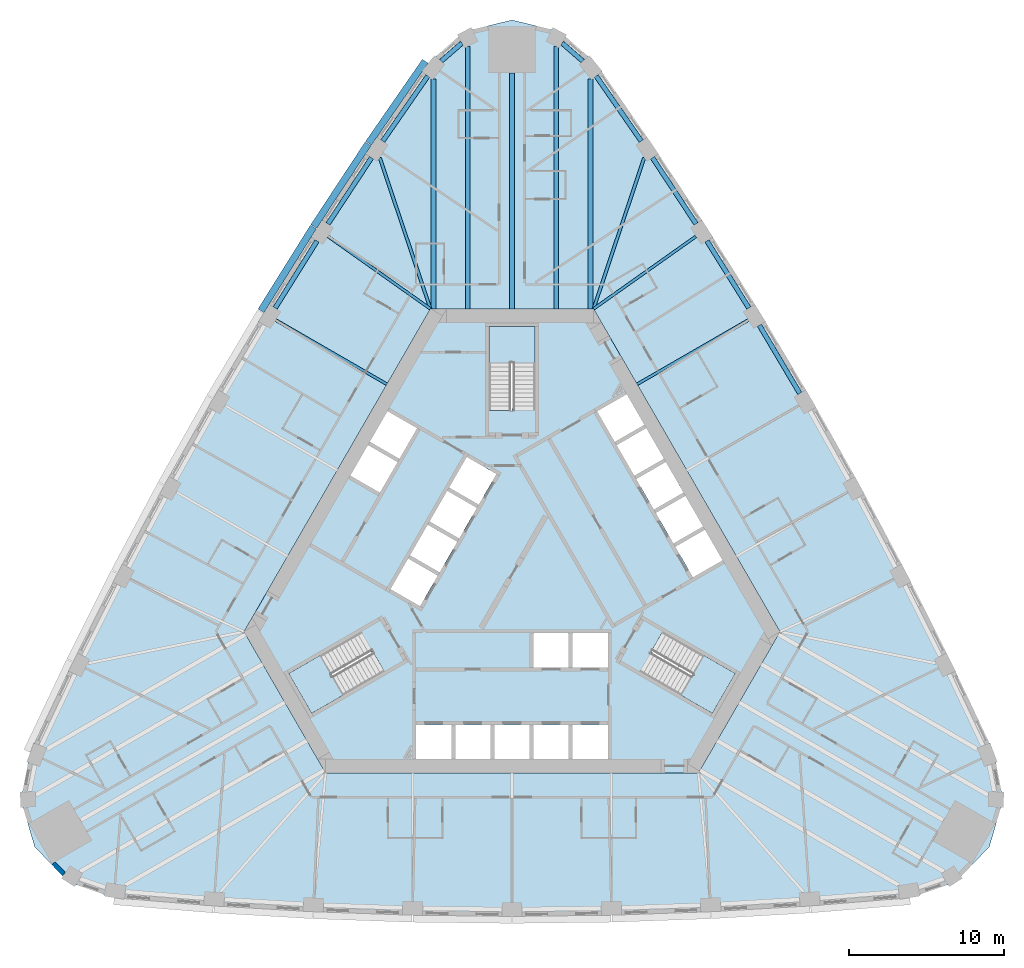
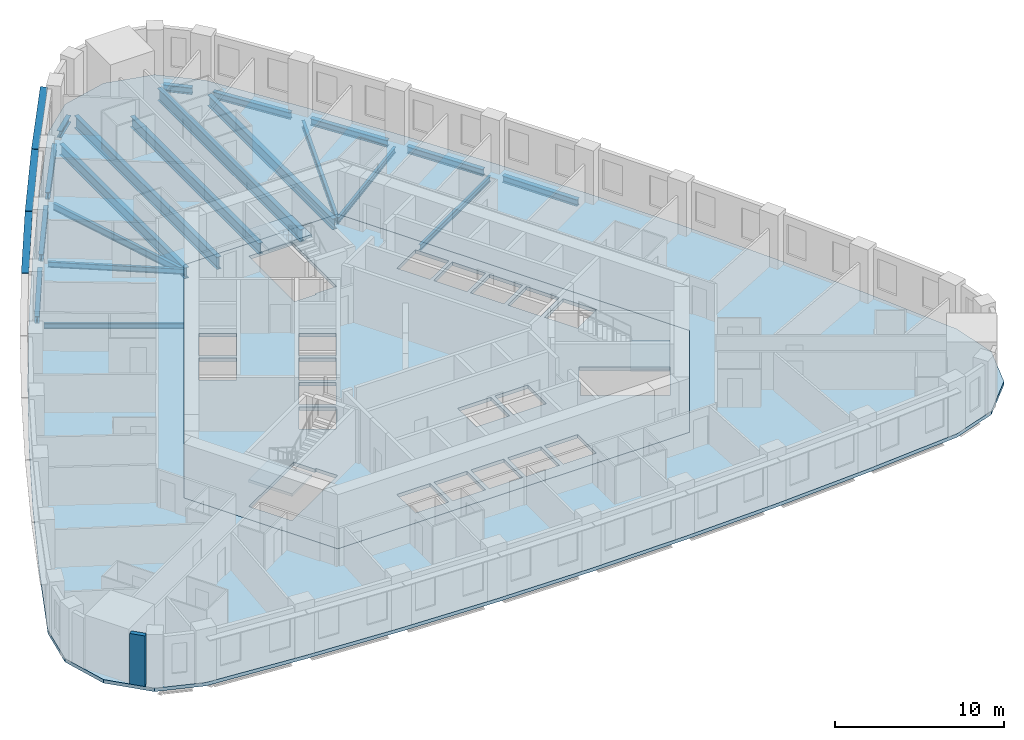
# One storey, part 2 of 12: 20 beams, 5 slabs, 3 members, 1 wall, 3 elements without a shape of their own.
"""IFC4 building model written with IfcOpenShell, lengths in metres."""

import ifcopenshell
import ifcopenshell.guid

model = None  # the IFC model being written
_history = None  # IfcOwnerHistory: only IFC2X3 demands one
_inside = {}  # id of a spatial element -> (the spatial element, [elements in it])
_under = {}  # id of a project, library or spatial element -> (it, [spatial elements below it])
_declared = {}  # id of a project -> (the project, [libraries it declares])
_typed = {}  # id of a type object -> (the type object, [elements of that type])
_made_of = {}  # id of a material, layer set ... -> (it, [elements and type objects made of it])


def new_model(schema):
    """Start an empty IFC model of exactly this schema.

    Asked for "IFC4X3", IfcOpenShell would pick the latest addendum, in which some entities
    have other attributes; the version numbers below select the first issue.
    IFC2X3 requires an IfcOwnerHistory on every rooted entity: one is made here for all.
    """
    global model, _history
    if schema == "IFC4X3":
        model = ifcopenshell.file(schema_version=(4, 3, 0, 0))
    else:
        model = ifcopenshell.file(schema=schema)
    _inside.clear()
    _under.clear()
    _declared.clear()
    _typed.clear()
    _made_of.clear()
    _history = None
    if model.schema == "IFC2X3":
        org = make("IfcOrganization", Name="unknown")
        user = make(
            "IfcPersonAndOrganization",
            ThePerson=make("IfcPerson", FamilyName="unknown"),
            TheOrganization=org,
        )
        app = make(
            "IfcApplication",
            ApplicationDeveloper=org,
            Version="unknown",
            ApplicationFullName="unknown",
            ApplicationIdentifier="unknown",
        )
        _history = make(
            "IfcOwnerHistory",
            OwningUser=user,
            OwningApplication=app,
            ChangeAction="ADDED",
            CreationDate=0,
        )
    return model


def make(cls, **values):
    """One entity of the class cls with the attributes given. An attribute that is None is left unset."""
    return model.create_entity(
        cls, **{name: value for name, value in values.items() if value is not None}
    )


def rooted(cls, **values):
    """An entity with a GlobalId (a new one), such as an element, a storey or a relation."""
    return make(cls, GlobalId=ifcopenshell.guid.new(), OwnerHistory=_history, **values)


def si_unit(unit_type, name, prefix=None):
    """IfcSIUnit, for example si_unit("LENGTHUNIT", "METRE", prefix="MILLI")."""
    return make("IfcSIUnit", UnitType=unit_type, Prefix=prefix, Name=name)


def assignment(units):
    """IfcUnitAssignment: the units of a project."""
    return None if units is None else make("IfcUnitAssignment", Units=units)


def point(xyz):
    """IfcCartesianPoint."""
    return None if xyz is None else make("IfcCartesianPoint", Coordinates=xyz)


def direction(xyz):
    """IfcDirection."""
    return None if xyz is None else make("IfcDirection", DirectionRatios=xyz)


def frame(location, z_axis=None, x_axis=None):
    """IfcAxis2Placement3D, a coordinate frame: its origin and axes. An axis left out is left unset."""
    return make(
        "IfcAxis2Placement3D",
        Location=point(location),
        Axis=direction(z_axis),
        RefDirection=direction(x_axis),
    )


def frame_2d(location, x_axis=None):
    """IfcAxis2Placement2D, a coordinate frame in the plane: its origin and x axis."""
    return make(
        "IfcAxis2Placement2D", Location=point(location), RefDirection=direction(x_axis)
    )


def origin():
    """The frame at (0, 0, 0) with its axes left unset."""
    return frame((0.0, 0.0, 0.0))


def origin_2d():
    """The frame at (0, 0) in the plane with its x axis left unset."""
    return frame_2d((0.0, 0.0))


def place(relative_to, where):
    """IfcLocalPlacement: puts the frame where relative to a parent placement (None: the world)."""
    return make(
        "IfcLocalPlacement", PlacementRelTo=relative_to, RelativePlacement=where
    )


def context(
    kind, dimensions, precision=None, world=None, true_north=None, identifier=None
):
    """IfcGeometricRepresentationContext, for example the 3D "Model" context."""
    return make(
        "IfcGeometricRepresentationContext",
        ContextIdentifier=identifier,
        ContextType=kind,
        CoordinateSpaceDimension=dimensions,
        Precision=precision,
        WorldCoordinateSystem=world,
        TrueNorth=true_north,
    )


def subcontext(parent, identifier, kind, view, scale=None):
    """IfcGeometricRepresentationSubContext, for example "Body" below "Model"."""
    return make(
        "IfcGeometricRepresentationSubContext",
        ContextIdentifier=identifier,
        ContextType=kind,
        ParentContext=parent,
        TargetScale=scale,
        TargetView=view,
    )


def project(units=None, contexts=None):
    """IfcProject with its units and contexts."""
    return rooted(
        "IfcProject",
        Name="project",
        RepresentationContexts=contexts,
        UnitsInContext=assignment(units),
    )


def spatial(cls, under=None, at=None, **own):
    """A site, building, storey or space (cls), placed at a placement, below another one or the project."""
    s = rooted(cls, ObjectPlacement=at, **own)
    if under is not None:
        _under.setdefault(under.id(), (under, []))[1].append(s)
    return s


def polyline(points):
    """IfcPolyline through the points."""
    return make("IfcPolyline", Points=[point(p) for p in points])


def profile(cls, at=None, kind="AREA", **sizes):
    """A parametric profile (cls). Its sizes go by their IFC names, for example OverallWidth=200.0."""
    return make(cls, ProfileType=kind, Position=at, **sizes)


def rectangle(**sizes):
    """IfcRectangleProfileDef."""
    return profile("IfcRectangleProfileDef", **sizes)


def i_section(**sizes):
    """IfcIShapeProfileDef."""
    return profile("IfcIShapeProfileDef", **sizes)


def outline(outer, holes=None, kind="AREA"):
    """IfcArbitraryClosedProfileDef: a profile drawn as a closed curve; with holes, ...WithVoids."""
    if holes is None:
        return make("IfcArbitraryClosedProfileDef", ProfileType=kind, OuterCurve=outer)
    return make(
        "IfcArbitraryProfileDefWithVoids",
        ProfileType=kind,
        OuterCurve=outer,
        InnerCurves=holes,
    )


def extrude(swept, where, along, depth):
    """IfcExtrudedAreaSolid: the profile swept, set in the frame where, extruded along a direction by depth."""
    return make(
        "IfcExtrudedAreaSolid",
        SweptArea=swept,
        Position=where,
        ExtrudedDirection=direction(along),
        Depth=depth,
    )


def shape(context_of_items, identifier, shape_type, items):
    """IfcShapeRepresentation: the items that make up one representation, for example the "Body"."""
    return make(
        "IfcShapeRepresentation",
        ContextOfItems=context_of_items,
        RepresentationIdentifier=identifier,
        RepresentationType=shape_type,
        Items=items,
    )


def material(Name=None, Category=None):
    """IfcMaterial."""
    return make("IfcMaterial", Name=Name, Category=Category)


def layer(
    of_material, thickness, ventilated=None, Name=None, Category=None, Priority=None
):
    """IfcMaterialLayer: one layer of a wall or slab, of a material (None: an air gap)."""
    return make(
        "IfcMaterialLayer",
        Material=of_material,
        LayerThickness=thickness,
        IsVentilated=ventilated,
        Name=Name,
        Category=Category,
        Priority=Priority,
    )


def layer_set(layers, Name=None):
    """IfcMaterialLayerSet."""
    return make("IfcMaterialLayerSet", MaterialLayers=layers, LayerSetName=Name)


def material_profile(
    of_material, cross_section, Name=None, Category=None, Priority=None
):
    """IfcMaterialProfile: a cross section and its material."""
    return make(
        "IfcMaterialProfile",
        Name=Name,
        Material=of_material,
        Profile=cross_section,
        Priority=Priority,
        Category=Category,
    )


def profile_set(profiles, Name=None, composite=None):
    """IfcMaterialProfileSet."""
    return make(
        "IfcMaterialProfileSet",
        Name=Name,
        MaterialProfiles=profiles,
        CompositeProfile=composite,
    )


def made_of(thing, what):
    """Note that an element or type object is made of a material, layer set ...; save() writes the relation."""
    if what is not None:
        _made_of.setdefault(what.id(), (what, []))[1].append(thing)
    return thing


def type_object(cls, material=None, **own):
    """A type object (cls), such as IfcWallType, which elements share."""
    return made_of(rooted(cls, **own), material)


def element(
    cls,
    number,
    at=None,
    inside=None,
    cuts=None,
    type_object=None,
    material=None,
    context=None,
    identifier="Body",
    shape_type=None,
    held_by="IfcProductDefinitionShape",
    body=None,
    shapes=None,
    **own,
):
    """One element of the class cls, such as IfcWall. Its Tag is "e" and its number.

    at: its placement. inside: the storey or other place that contains it. cuts: it is an
    opening in that element (IfcRelVoidsElement). A single representation is given by context,
    identifier, shape_type and body (its items); several are given by shapes. held_by: the class
    of the entity that holds the representations. save() writes the other relations.
    """
    e = rooted(cls, Tag="e%d" % number, ObjectPlacement=at, **own)
    if body is not None:
        shapes = [shape(context, identifier, shape_type, body)]
    if shapes is not None:
        e.Representation = make(held_by, Representations=shapes)
    if inside is not None:
        _inside.setdefault(inside.id(), (inside, []))[1].append(e)
    if cuts is not None:
        rooted(
            "IfcRelVoidsElement", RelatingBuildingElement=cuts, RelatedOpeningElement=e
        )
    if type_object is not None:
        _typed.setdefault(type_object.id(), (type_object, []))[1].append(e)
    return made_of(e, material)


def aggregate(whole, parts):
    """IfcRelAggregates: a whole, such as a stair, and the parts it consists of."""
    return rooted("IfcRelAggregates", RelatingObject=whole, RelatedObjects=parts)


def save(model, path):
    """Write the relations noted so far, then the file.

    IfcRelAggregates (storeys below a building ...), IfcRelContainedInSpatialStructure (elements
    in a storey), IfcRelDefinesByType, IfcRelAssociatesMaterial and IfcRelDeclares: one each for
    every whole, place, type object, material and project.
    """
    for whole, parts in _under.values():
        aggregate(whole, parts)
    for where, things in _inside.values():
        rooted(
            "IfcRelContainedInSpatialStructure",
            RelatedElements=things,
            RelatingStructure=where,
        )
    for kind, things in _typed.values():
        rooted("IfcRelDefinesByType", RelatedObjects=things, RelatingType=kind)
    for what, things in _made_of.values():
        rooted("IfcRelAssociatesMaterial", RelatedObjects=things, RelatingMaterial=what)
    for by, libraries in _declared.values():
        rooted("IfcRelDeclares", RelatingContext=by, RelatedDefinitions=libraries)
    model.write(path)


model = new_model("IFC4")

# Units and contexts
model_context = context("Model", 3, precision=1e-05, world=origin(), true_north=direction((0.0, 1.0)))
body_context = subcontext(model_context, "Body", "Model", "MODEL_VIEW")
ifc_project = project(units=[si_unit("LENGTHUNIT", "METRE"), si_unit("AREAUNIT", "SQUARE_METRE"), si_unit("VOLUMEUNIT", "CUBIC_METRE"), si_unit("PLANEANGLEUNIT", "RADIAN"), si_unit("MASSUNIT", "GRAM", prefix="KILO")], contexts=[model_context])

# Site, building, storey
site_placement = place(None, origin())
site = spatial("IfcSite", under=ifc_project, at=site_placement, CompositionType="ELEMENT")
building_placement = place(site_placement, origin())
building = spatial("IfcBuilding", under=site, at=building_placement, Name="Mestral Congress Tower", CompositionType="ELEMENT")
storey_placement = place(building_placement, frame((0.0, 0.0, 103.199951171875)))
storey = spatial("IfcBuildingStorey", under=building, at=storey_placement, Name="L24", CompositionType="ELEMENT", Elevation=103.199951171875)

# Members
ifc_material_1 = material(Name="Glazed ceramic", Category="masonry")
ifc_material_profile_1 = material_profile(ifc_material_1, rectangle(XDim=0.449951171875, YDim=0.06005859375, at=origin_2d()), Name="Ceramic blade 450 x 60")
ifc_profile_set_1 = profile_set([ifc_material_profile_1], Name="Glazed ceramic")
member_type = type_object("IfcMemberType", Name="Facade sunshade blade 450 x 60", PredefinedType="USERDEFINED", material=ifc_profile_set_1)
member_placement = place(storey_placement, frame((-5.590576171875, 32.8505859375, 3.280029296875), z_axis=(-0.569144736399, -0.822237355652, 0.0), x_axis=(0.822237355652, -0.569144736399, 0.0)))
element("IfcMember", 1, at=member_placement, inside=storey, type_object=member_type, Name="Sunshade F2-00", ObjectType="SUNSHADE", PredefinedType="USERDEFINED", context=body_context, shape_type="SweptSolid", body=[
    extrude(rectangle(XDim=0.449951171875, YDim=0.06005859375, at=origin_2d()), origin(), (0.0, 0.0, 1.0), 6.421630859375),
])
for number, where, z_axis, x_axis, name in (
    (2, (-9.2705078125, 27.532958984375, 3.280029296875), (-0.549764307833, -0.835319822483, 0.0), (0.835319822483, -0.549764307833, 0.0), "Sunshade F2-01"),
    (3, (-12.797119140625, 22.173583984375, 3.280029296875), (-0.530060946156, -0.847959547007, 0.0), (0.847959547007, -0.530060946156, 0.0), "Sunshade F2-02"),
):
    element("IfcMember", number, at=place(storey_placement, frame(where, z_axis=z_axis, x_axis=x_axis)), inside=storey, type_object=member_type, Name=name, ObjectType="SUNSHADE", PredefinedType="USERDEFINED", context=body_context, shape_type="SweptSolid", body=[
        extrude(rectangle(XDim=0.449951171875, YDim=0.06005859375, at=origin_2d()), origin(), (0.0, 0.0, 1.0), 6.370361328125),
    ])

# Beams
ifc_material_2 = material(Name="Steel S355", Category="steel")
ifc_material_profile_2 = material_profile(ifc_material_2, i_section(OverallWidth=0.300048828125, OverallDepth=0.800048828125, WebThickness=0.017578125, FlangeThickness=0.032958984375, FilletRadius=0.030029296875, at=origin_2d()), Name="HEB 800")
ifc_profile_set_2 = profile_set([ifc_material_profile_2], Name="Steel S355")
beam_type_1 = type_object("IfcBeamType", Name="Floor beam HEB 800 S355", PredefinedType="BEAM", material=ifc_profile_set_2)
beam_1_placement = place(storey_placement, frame((5.056396484375, 31.72412109375, -0.64990234375), z_axis=(0.0, -1.0, 0.0), x_axis=(1.0, 0.0, 0.0)))
element("IfcBeam", 4, at=beam_1_placement, inside=storey, type_object=beam_type_1, Name="BM-L24-RB2-E08", PredefinedType="BEAM", context=body_context, shape_type="SweptSolid", body=[
    extrude(i_section(OverallWidth=0.300048828125, OverallDepth=0.800048828125, WebThickness=0.017578125, FlangeThickness=0.032958984375, FilletRadius=0.030029296875, at=origin_2d()), origin(), (0.0, 0.0, 1.0), 14.82421875),
])
beam_2_placement = place(storey_placement, frame((0.0, 32.098388671875, -0.64990234375), z_axis=(0.0, -1.0, 0.0), x_axis=(1.0, 0.0, 0.0)))
element("IfcBeam", 5, at=beam_2_placement, inside=storey, type_object=beam_type_1, Name="BM-L24-RB2-N", PredefinedType="BEAM", context=body_context, shape_type="SweptSolid", body=[
    extrude(i_section(OverallWidth=0.300048828125, OverallDepth=0.800048828125, WebThickness=0.017578125, FlangeThickness=0.032958984375, FilletRadius=0.030029296875, at=origin_2d()), origin(), (0.0, 0.0, 1.0), 15.198486328125),
])
beam_3_placement = place(storey_placement, frame((-5.056396484375, 31.72412109375, -0.64990234375), z_axis=(0.0, -1.0, 0.0), x_axis=(1.0, 0.0, 0.0)))
element("IfcBeam", 6, at=beam_3_placement, inside=storey, type_object=beam_type_1, Name="BM-L24-RB2-W00", PredefinedType="BEAM", context=body_context, shape_type="SweptSolid", body=[
    extrude(i_section(OverallWidth=0.300048828125, OverallDepth=0.800048828125, WebThickness=0.017578125, FlangeThickness=0.032958984375, FilletRadius=0.030029296875, at=origin_2d()), origin(), (0.0, 0.0, 1.0), 14.82421875),
])
ifc_material_profile_3 = material_profile(ifc_material_2, i_section(OverallWidth=0.300048828125, OverallDepth=0.89990234375, WebThickness=0.0185546875, FlangeThickness=0.034912109375, FilletRadius=0.030029296875, at=origin_2d()), Name="HEB 900")
ifc_profile_set_3 = profile_set([ifc_material_profile_3], Name="Steel S355")
beam_type_2 = type_object("IfcBeamType", Name="Floor beam HEB 900 S355", PredefinedType="BEAM", material=ifc_profile_set_3)
for number, where, z_axis, x_axis, name in (
    (7, (2.845703125, 33.794189453125, -0.699951171875), (0.0, -1.0, 0.0), (1.0, 0.0, 0.0), "BM-L24-RB2-N1"),
    (8, (-2.845703125, 33.794189453125, -0.699951171875), (0.0, -1.0, 0.0), (1.0, 0.0, 0.0), "BM-L24-RB2-N3"),
):
    element("IfcBeam", number, at=place(storey_placement, frame(where, z_axis=z_axis, x_axis=x_axis)), inside=storey, type_object=beam_type_2, Name=name, PredefinedType="BEAM", context=body_context, shape_type="SweptSolid", body=[
        extrude(i_section(OverallWidth=0.300048828125, OverallDepth=0.89990234375, WebThickness=0.0185546875, FlangeThickness=0.034912109375, FilletRadius=0.030029296875, at=origin_2d()), origin(), (0.0, 0.0, 1.0), 16.894287109375),
    ])
ifc_material_profile_4 = material_profile(ifc_material_2, i_section(OverallWidth=0.179931640625, OverallDepth=0.39990234375, WebThickness=0.008544921875, FlangeThickness=0.013427734375, FilletRadius=0.02099609375, at=origin_2d()), Name="IPE 400")
ifc_profile_set_4 = profile_set([ifc_material_profile_4], Name="Steel S355")
beam_type_3 = type_object("IfcBeamType", Name="Floor beam IPE 400 S355", PredefinedType="BEAM", material=ifc_profile_set_4)
beam_4_placement = place(storey_placement, frame((15.219482421875, 16.176513671875, -0.449951171875), z_axis=(-0.866015952286, -0.500016370119, 0.0), x_axis=(0.500016370119, -0.866015952286, 0.0)))
element("IfcBeam", 9, at=beam_4_placement, inside=storey, type_object=beam_type_3, Name="BM-L24-RB2-E05", PredefinedType="BEAM", context=body_context, shape_type="SweptSolid", body=[
    extrude(i_section(OverallWidth=0.179931640625, OverallDepth=0.39990234375, WebThickness=0.008544921875, FlangeThickness=0.013427734375, FilletRadius=0.02099609375, at=origin_2d()), origin(), (0.0, 0.0, 1.0), 8.268798828125),
])
for number, where, z_axis, x_axis, name in (
    (10, (11.849365234375, 21.568115234375, -0.449951171875), (-0.816232852676, -0.577723056673, 0.0), (0.577723056673, -0.816232852676, 0.0), "BM-L24-RB2-E06"),
    (11, (-11.849365234375, 21.568115234375, -0.449951171875), (0.816232852676, -0.577723056673, 0.0), (0.577723056673, 0.816232852676, 0.0), "BM-L24-RB2-W02"),
):
    element("IfcBeam", number, at=place(storey_placement, frame(where, z_axis=z_axis, x_axis=x_axis)), inside=storey, type_object=beam_type_3, Name=name, PredefinedType="BEAM", context=body_context, shape_type="SweptSolid", body=[
        extrude(i_section(OverallWidth=0.179931640625, OverallDepth=0.39990234375, WebThickness=0.008544921875, FlangeThickness=0.013427734375, FilletRadius=0.02099609375, at=origin_2d()), origin(), (0.0, 0.0, 1.0), 8.080322265625),
    ])
beam_5_placement = place(storey_placement, frame((-15.219482421875, 16.176513671875, -0.449951171875), z_axis=(0.866015952286, -0.500016370119, 0.0), x_axis=(0.500016370119, 0.866015952286, 0.0)))
element("IfcBeam", 12, at=beam_5_placement, inside=storey, type_object=beam_type_3, Name="BM-L24-RB2-W03", PredefinedType="BEAM", context=body_context, shape_type="SweptSolid", body=[
    extrude(i_section(OverallWidth=0.179931640625, OverallDepth=0.39990234375, WebThickness=0.008544921875, FlangeThickness=0.013427734375, FilletRadius=0.02099609375, at=origin_2d()), origin(), (0.0, 0.0, 1.0), 8.268798828125),
])
ifc_material_profile_5 = material_profile(ifc_material_2, i_section(OverallWidth=0.199951171875, OverallDepth=0.5, WebThickness=0.01025390625, FlangeThickness=0.01611328125, FilletRadius=0.02099609375, at=origin_2d()), Name="IPE 500")
ifc_profile_set_5 = profile_set([ifc_material_profile_5], Name="Steel S355")
beam_type_4 = type_object("IfcBeamType", Name="Floor beam IPE 500 S355", PredefinedType="BEAM", material=ifc_profile_set_5)
for number, where, z_axis, x_axis, name in (
    (13, (8.5185546875, 26.636962890625, -0.5), (-0.317888994992, -0.948127938025, 0.0), (0.948127938025, -0.317888994992, 0.0), "BM-L24-RB2-E07"),
    (14, (-8.5185546875, 26.636962890625, -0.5), (0.317888994992, -0.948127938025, 0.0), (0.948127938025, 0.317888994992, 0.0), "BM-L24-RB2-W01"),
):
    element("IfcBeam", number, at=place(storey_placement, frame(where, z_axis=z_axis, x_axis=x_axis)), inside=storey, type_object=beam_type_4, Name=name, PredefinedType="BEAM", context=body_context, shape_type="SweptSolid", body=[
        extrude(i_section(OverallWidth=0.199951171875, OverallDepth=0.5, WebThickness=0.01025390625, FlangeThickness=0.01611328125, FilletRadius=0.02099609375, at=origin_2d()), origin(), (0.0, 0.0, 1.0), 10.269775390625),
    ])
ifc_material_profile_6 = material_profile(ifc_material_2, i_section(OverallWidth=0.300048828125, OverallDepth=0.489990234375, WebThickness=0.011962890625, FlangeThickness=0.02294921875, FilletRadius=0.027099609375, at=origin_2d()), Name="HEA 500")
ifc_profile_set_6 = profile_set([ifc_material_profile_6], Name="Steel S355")
beam_type_5 = type_object("IfcBeamType", Name="Spandrel beam HEA 500 S355", PredefinedType="BEAM", material=ifc_profile_set_6)
for number, where, z_axis, x_axis, name in (
    (15, (18.542236328125, 11.455810546875, -0.494873046875), (-0.510081870963, 0.860125854114, 0.0), (-0.860125854114, -0.510081870963, 0.0), "SP-L24-SB2-E04"),
    (16, (15.2646484375, 16.95263671875, -0.494873046875), (-0.530046273959, 0.847968718446, 0.0), (-0.847968718446, -0.530046273959, 0.0), "SP-L24-SB2-E05"),
):
    element("IfcBeam", number, at=place(storey_placement, frame(where, z_axis=z_axis, x_axis=x_axis)), inside=storey, type_object=beam_type_5, Name=name, PredefinedType="BEAM", context=body_context, shape_type="SweptSolid", body=[
        extrude(i_section(OverallWidth=0.300048828125, OverallDepth=0.489990234375, WebThickness=0.011962890625, FlangeThickness=0.02294921875, FilletRadius=0.027099609375, at=origin_2d()), origin(), (0.0, 0.0, 1.0), 5.099853515625),
    ])
beam_6_placement = place(storey_placement, frame((11.859619140625, 22.371337890625, -0.494873046875), z_axis=(-0.549729920898, 0.835342453171, 0.0), x_axis=(-0.835342453171, -0.549729920898, 0.0)))
element("IfcBeam", 17, at=beam_6_placement, inside=storey, type_object=beam_type_5, Name="SP-L24-SB2-E06", PredefinedType="BEAM", context=body_context, shape_type="SweptSolid", body=[
    extrude(i_section(OverallWidth=0.300048828125, OverallDepth=0.489990234375, WebThickness=0.011962890625, FlangeThickness=0.02294921875, FilletRadius=0.027099609375, at=origin_2d()), origin(), (0.0, 0.0, 1.0), 5.099609375),
])
beam_7_placement = place(storey_placement, frame((8.32861328125, 27.708740234375, -0.494873046875), z_axis=(-0.569105377225, 0.822264598298, 0.0), x_axis=(-0.822264598298, -0.569105377225, 0.0)))
element("IfcBeam", 18, at=beam_7_placement, inside=storey, type_object=beam_type_5, Name="SP-L24-SB2-E07", PredefinedType="BEAM", context=body_context, shape_type="SweptSolid", body=[
    extrude(i_section(OverallWidth=0.300048828125, OverallDepth=0.489990234375, WebThickness=0.011962890625, FlangeThickness=0.02294921875, FilletRadius=0.027099609375, at=origin_2d()), origin(), (0.0, 0.0, 1.0), 5.09765625),
])
for number, where, z_axis, x_axis, name in (
    (19, (4.558349609375, 32.869140625, -0.494873046875), (-0.754917058401, 0.655820276398, 0.0), (-0.655820276398, -0.754917058401, 0.0), "SP-L24-SB2-E08"),
    (20, (-3.234130859375, 34.01953125, -0.494873046875), (-0.754917058401, -0.655820276398, 0.0), (0.655820276398, -0.754917058401, 0.0), "SP-L24-SB2-N3"),
):
    element("IfcBeam", number, at=place(storey_placement, frame(where, z_axis=z_axis, x_axis=x_axis)), inside=storey, type_object=beam_type_5, Name=name, PredefinedType="BEAM", context=body_context, shape_type="SweptSolid", body=[
        extrude(i_section(OverallWidth=0.300048828125, OverallDepth=0.489990234375, WebThickness=0.011962890625, FlangeThickness=0.02294921875, FilletRadius=0.027099609375, at=origin_2d()), origin(), (0.0, 0.0, 1.0), 1.754150390625),
    ])
beam_8_placement = place(storey_placement, frame((-5.427490234375, 31.900390625, -0.494873046875), z_axis=(-0.569105377225, -0.822264598298, 0.0), x_axis=(0.822264598298, -0.569105377225, 0.0)))
element("IfcBeam", 21, at=beam_8_placement, inside=storey, type_object=beam_type_5, Name="SP-L24-SB2-W00", PredefinedType="BEAM", context=body_context, shape_type="SweptSolid", body=[
    extrude(i_section(OverallWidth=0.300048828125, OverallDepth=0.489990234375, WebThickness=0.011962890625, FlangeThickness=0.02294921875, FilletRadius=0.027099609375, at=origin_2d()), origin(), (0.0, 0.0, 1.0), 5.09765625),
])
beam_9_placement = place(storey_placement, frame((-9.05615234375, 26.63134765625, -0.494873046875), z_axis=(-0.549729920898, -0.835342453171, 0.0), x_axis=(0.835342453171, -0.549729920898, 0.0)))
element("IfcBeam", 22, at=beam_9_placement, inside=storey, type_object=beam_type_5, Name="SP-L24-SB2-W01", PredefinedType="BEAM", context=body_context, shape_type="SweptSolid", body=[
    extrude(i_section(OverallWidth=0.300048828125, OverallDepth=0.489990234375, WebThickness=0.011962890625, FlangeThickness=0.02294921875, FilletRadius=0.027099609375, at=origin_2d()), origin(), (0.0, 0.0, 1.0), 5.099609375),
])
beam_10_placement = place(storey_placement, frame((-12.5615234375, 21.277099609375, -0.494873046875), z_axis=(-0.530046273959, -0.847968718446, 0.0), x_axis=(0.847968718446, -0.530046273959, 0.0)))
element("IfcBeam", 23, at=beam_10_placement, inside=storey, type_object=beam_type_5, Name="SP-L24-SB2-W02", PredefinedType="BEAM", context=body_context, shape_type="SweptSolid", body=[
    extrude(i_section(OverallWidth=0.300048828125, OverallDepth=0.489990234375, WebThickness=0.011962890625, FlangeThickness=0.02294921875, FilletRadius=0.027099609375, at=origin_2d()), origin(), (0.0, 0.0, 1.0), 5.099853515625),
])

# Slabs
ifc_material_3 = material(Name="Concrete C35/45", Category="concrete")
ifc_layer_1 = layer(ifc_material_3, 0.25)
ifc_layer_set_1 = layer_set([ifc_layer_1], Name="Concrete C35/45")
slab_type_1 = type_object("IfcSlabType", Name="Composite floor slab 250", PredefinedType="FLOOR", material=ifc_layer_set_1)
placement_1 = place(storey_placement, frame((0.0, 0.0, -0.25)))
element("IfcSlab", 24, at=placement_1, inside=storey, type_object=slab_type_1, Name="SL-L24", PredefinedType="FLOOR", context=body_context, shape_type="SweptSolid", body=[
    extrude(outline(polyline([(-25.656005859375, -21.041015625), (-28.581298828125, -20.03271484375), (-30.75390625, -17.755859375), (-31.639404296875, -14.73583984375), (-31.050048828125, -11.697998046875), (-28.28759765625, -5.856689453125), (-25.412109375, -0.12744140625), (-22.403564453125, 5.533203125), (-19.263671875, 11.121826171875), (-15.99365234375, 16.635498046875), (-12.595703125, 22.0712890625), (-9.07177734375, 27.426025390625), (-5.39404296875, 32.739013671875), (-3.05810546875, 34.768310546875), (0.0, 35.51171875), (3.05810546875, 34.768310546875), (5.39404296875, 32.739013671875), (9.07177734375, 27.426025390625), (12.595703125, 22.0712890625), (15.99365234375, 16.635498046875), (19.263671875, 11.121826171875), (22.403564453125, 5.533203125), (25.412109375, -0.12744140625), (28.28759765625, -5.856689453125), (31.050048828125, -11.697998046875), (31.639404296875, -14.73583984375), (30.75390625, -17.755859375), (28.581298828125, -20.03271484375), (25.656005859375, -21.041015625), (19.2158203125, -21.5693359375), (12.81640625, -21.94384765625), (6.409912109375, -22.168701171875), (0.0, -22.24365234375), (-6.409912109375, -22.168701171875), (-12.81640625, -21.94384765625), (-19.2158203125, -21.5693359375), (-25.656005859375, -21.041015625)]), holes=[polyline([(-5.25390625, 16.89990234375), (-17.2626953125, -3.89990234375), (-12.0087890625, -13.0), (12.0087890625, -13.0), (17.2626953125, -3.89990234375), (5.25390625, 16.89990234375), (-5.25390625, 16.89990234375)])]), origin(), (0.0, 0.0, 1.0), 0.25),
])
ifc_material_4 = material(Name="Concrete C60/75", Category="concrete")
ifc_layer_2 = layer(ifc_material_4, 0.25)
ifc_layer_set_2 = layer_set([ifc_layer_2], Name="Concrete C60/75")
slab_type_2 = type_object("IfcSlabType", Name="Core floor slab RC 250", PredefinedType="FLOOR", material=ifc_layer_set_2)
element("IfcSlab", 25, at=placement_1, inside=storey, type_object=slab_type_2, Name="L24 core floor", PredefinedType="FLOOR", context=body_context, shape_type="SweptSolid", body=[
    extrude(outline(polyline([(12.0087890625, -13.0), (-12.0087890625, -13.0), (-17.2626953125, -3.89990234375), (-5.25390625, 16.89990234375), (5.25390625, 16.89990234375), (17.2626953125, -3.89990234375), (12.0087890625, -13.0)]), holes=[polyline([(-3.905029296875, -9.89990234375), (-6.175048828125, -9.89990234375), (-6.175048828125, -12.10009765625), (-3.905029296875, -12.10009765625), (-3.905029296875, -9.89990234375)]), polyline([(-1.385009765625, -9.89990234375), (-3.655029296875, -9.89990234375), (-3.655029296875, -12.10009765625), (-1.385009765625, -12.10009765625), (-1.385009765625, -9.89990234375)]), polyline([(1.135009765625, -9.89990234375), (-1.135009765625, -9.89990234375), (-1.135009765625, -12.10009765625), (1.135009765625, -12.10009765625), (1.135009765625, -9.89990234375)]), polyline([(-9.0673828125, -5.235107421875), (-9.8046875, -3.95751953125), (-14.37744140625, -6.59765625), (-12.90234375, -9.15234375), (-8.234619140625, -6.45751953125), (-8.971923828125, -5.179931640625), (-9.0673828125, -5.235107421875)]), polyline([(-7.826904296875, -1.156494140625), (-5.921630859375, -2.256591796875), (-4.78662109375, -0.29052734375), (-6.69189453125, 0.809326171875), (-7.826904296875, -1.156494140625)]), polyline([(-4.66162109375, -0.07421875), (-3.526611328125, 1.8916015625), (-5.431884765625, 2.99169921875), (-6.56689453125, 1.02587890625), (-4.66162109375, -0.07421875)]), polyline([(-3.401611328125, 2.1083984375), (-2.2666015625, 4.07421875), (-4.171875, 5.174072265625), (-5.306884765625, 3.208251953125), (-3.401611328125, 2.1083984375)]), polyline([(-2.1416015625, 4.29052734375), (-1.006591796875, 6.256591796875), (-2.911865234375, 7.3564453125), (-4.046875, 5.390625), (-2.1416015625, 4.29052734375)]), polyline([(-10.41650390625, 6.158203125), (-8.51123046875, 5.058349609375), (-7.376220703125, 7.024169921875), (-9.281494140625, 8.1240234375), (-10.41650390625, 6.158203125)]), polyline([(-9.156494140625, 8.340576171875), (-7.251220703125, 7.240478515625), (-6.1162109375, 9.20654296875), (-8.021484375, 10.306396484375), (-9.156494140625, 8.340576171875)]), polyline([(1.47509765625, 10.469970703125), (1.47509765625, 15.75), (-1.47509765625, 15.75), (-1.47509765625, 10.360107421875), (0.0, 10.360107421875), (0.0, 10.469970703125), (1.47509765625, 10.469970703125)]), polyline([(3.655029296875, -9.89990234375), (1.385009765625, -9.89990234375), (1.385009765625, -12.10009765625), (3.655029296875, -12.10009765625), (3.655029296875, -9.89990234375)]), polyline([(6.175048828125, -9.89990234375), (3.905029296875, -9.89990234375), (3.905029296875, -12.10009765625), (6.175048828125, -12.10009765625), (6.175048828125, -9.89990234375)]), polyline([(9.0673828125, -5.235107421875), (8.329833984375, -6.512451171875), (12.90234375, -9.15234375), (14.37744140625, -6.59765625), (9.70947265625, -3.902587890625), (8.971923828125, -5.179931640625), (9.0673828125, -5.235107421875)]), polyline([(3.655029296875, -6.199951171875), (3.655029296875, -4.0), (1.385009765625, -4.0), (1.385009765625, -6.199951171875), (3.655029296875, -6.199951171875)]), polyline([(6.175048828125, -4.0), (3.905029296875, -4.0), (3.905029296875, -6.199951171875), (6.175048828125, -6.199951171875), (6.175048828125, -4.0)]), polyline([(12.431396484375, 2.668212890625), (10.526123046875, 1.568115234375), (11.6611328125, -0.397705078125), (13.56640625, 0.702392578125), (12.431396484375, 2.668212890625)]), polyline([(11.17138671875, 4.8505859375), (9.26611328125, 3.75048828125), (10.401123046875, 1.78466796875), (12.306396484375, 2.884765625), (11.17138671875, 4.8505859375)]), polyline([(8.006103515625, 5.932861328125), (9.14111328125, 3.967041015625), (11.04638671875, 5.067138671875), (9.911376953125, 7.032958984375), (8.006103515625, 5.932861328125)]), polyline([(8.6513671875, 9.21533203125), (6.74609375, 8.115234375), (7.881103515625, 6.1494140625), (9.786376953125, 7.24951171875), (8.6513671875, 9.21533203125)]), polyline([(7.391357421875, 11.397705078125), (5.486083984375, 10.297607421875), (6.62109375, 8.331787109375), (8.5263671875, 9.431884765625), (7.391357421875, 11.397705078125)])]), origin(), (0.0, 0.0, 1.0), 0.25),
])

# Stair, slab
stair_type = type_object("IfcStairType", Name="Exit stair 1400", PredefinedType="HALF_TURN_STAIR", material=ifc_material_4)
placement_2 = place(storey_placement, origin())
stair_1 = element("IfcStair", 26, at=placement_2, inside=storey, type_object=stair_type, Name="L24 ST1", PredefinedType="HALF_TURN_STAIR")
ifc_layer_3 = layer(ifc_material_4, 0.199951171875)
ifc_layer_set_3 = layer_set([ifc_layer_3], Name="Concrete C60/75")
slab_type_3 = type_object("IfcSlabType", Name="Exit stair landing 200", PredefinedType="LANDING", material=ifc_layer_set_3)
placement_3 = place(storey_placement, frame((0.0, 0.0, 1.75)))
slab_3 = element("IfcSlab", 27, at=placement_3, type_object=slab_type_3, Name="ST1 landing 1", PredefinedType="LANDING", context=body_context, shape_type="SweptSolid", body=[
    extrude(outline(polyline([(10.879638671875, -7.99609375), (12.364501953125, -5.424072265625), (14.39111328125, -6.593994140625), (12.906005859375, -9.166015625), (10.879638671875, -7.99609375)])), origin(), (0.0, 0.0, 1.0), 0.199951171875),
])
aggregate(stair_1, [slab_3])

stair_2 = element("IfcStair", 28, at=placement_2, inside=storey, type_object=stair_type, Name="L24 ST2", PredefinedType="HALF_TURN_STAIR")
slab_4 = element("IfcSlab", 29, at=placement_3, type_object=slab_type_3, Name="ST2 landing 1", PredefinedType="LANDING", context=body_context, shape_type="SweptSolid", body=[
    extrude(outline(polyline([(1.485107421875, 13.419921875), (-1.485107421875, 13.419921875), (-1.485107421875, 15.760009765625), (1.485107421875, 15.760009765625), (1.485107421875, 13.419921875)])), origin(), (0.0, 0.0, 1.0), 0.199951171875),
])
aggregate(stair_2, [slab_4])

stair_3 = element("IfcStair", 30, at=placement_2, inside=storey, type_object=stair_type, Name="L24 ST3", PredefinedType="HALF_TURN_STAIR")
slab_5 = element("IfcSlab", 31, at=placement_3, type_object=slab_type_3, Name="ST3 landing 1", PredefinedType="LANDING", context=body_context, shape_type="SweptSolid", body=[
    extrude(outline(polyline([(-12.364501953125, -5.424072265625), (-10.879638671875, -7.99609375), (-12.906005859375, -9.166015625), (-14.39111328125, -6.593994140625), (-12.364501953125, -5.424072265625)])), origin(), (0.0, 0.0, 1.0), 0.199951171875),
])
aggregate(stair_3, [slab_5])

# Wall
ifc_material_5 = material(Name="Precast concrete C40/50 with limestone facing", Category="masonry")
ifc_layer_4 = layer(ifc_material_5, 0.2900390625)
ifc_layer_set_4 = layer_set([ifc_layer_4], Name="Precast concrete C40/50 with limestone facing")
wall_type = type_object("IfcWallType", Name="Facade stone wall 290", PredefinedType="SOLIDWALL", material=ifc_layer_set_4)
wall_placement = place(storey_placement, frame((-29.5341796875, -18.82421875, 0.0), z_axis=(0.0, 0.0, 1.0), x_axis=(0.690414427296, -0.723414071319, 0.0)))
element("IfcWall", 32, at=wall_placement, inside=storey, type_object=wall_type, Name="Facade wall K2-2", PredefinedType="SOLIDWALL", context=body_context, shape_type="SweptSolid", body=[
    extrude(rectangle(XDim=0.947021484375, YDim=0.2900390625, at=frame_2d((0.4736328125, 0.0))), origin(), (0.0, 0.0, 1.0), 3.650146484375),
])

save(model, "model.ifc")
